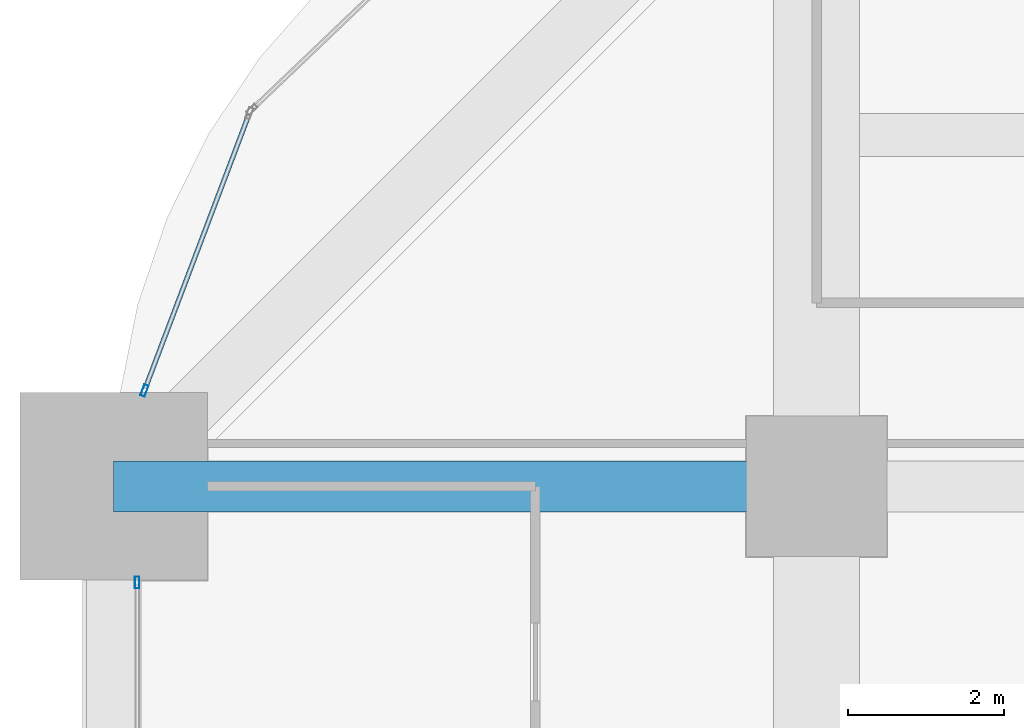
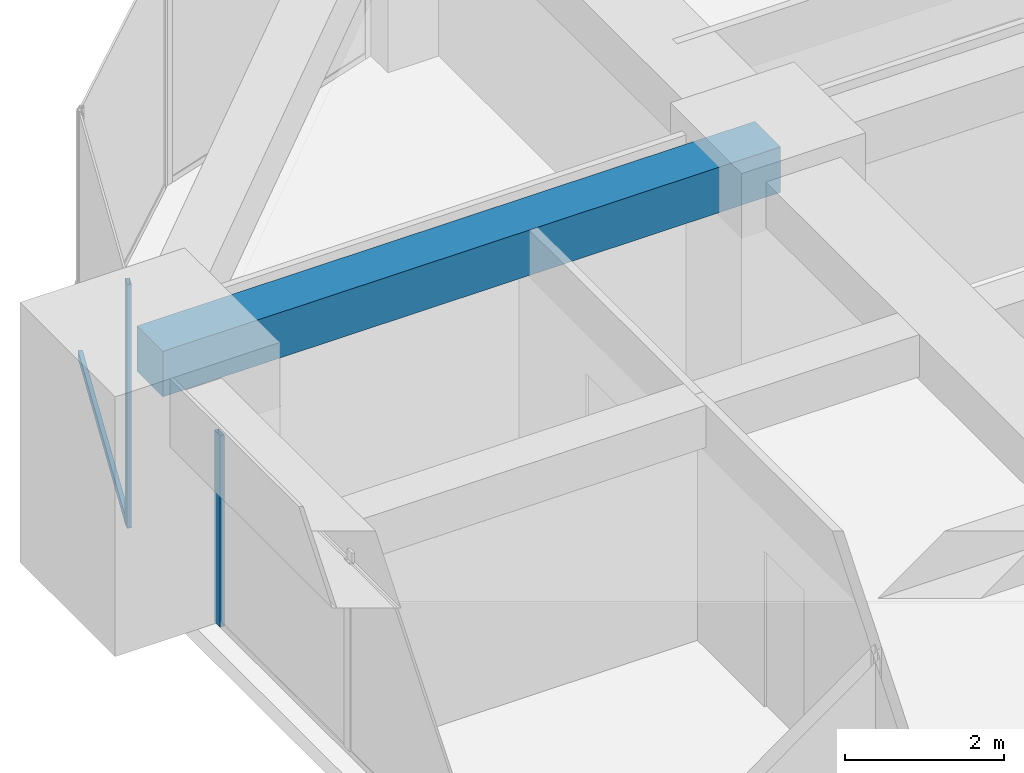
# One storey, part 24 of 41: 3 members, 1 beam, 2 elements without a shape of their own.
"""IFC4 building model written with IfcOpenShell, lengths in metres."""

from ifc_helpers import new_model, si_unit, direction, frame, origin, origin_2d, place, context, subcontext, project, spatial, rectangle, hollow_rectangle, extrude, material, material_profile, profile_set, type_object, element, aggregate, save


model = new_model("IFC4")

# Units and contexts
model_context = context("Model", 3, precision=1e-05, world=origin(), true_north=direction((0.0, 1.0)))
body_context = subcontext(model_context, "Body", "Model", "MODEL_VIEW")
ifc_project = project(units=[si_unit("LENGTHUNIT", "METRE"), si_unit("AREAUNIT", "SQUARE_METRE"), si_unit("VOLUMEUNIT", "CUBIC_METRE"), si_unit("PLANEANGLEUNIT", "RADIAN"), si_unit("MASSUNIT", "GRAM", prefix="KILO")], contexts=[model_context])

# Site, building, storey
site_placement = place(None, origin())
site = spatial("IfcSite", under=ifc_project, at=site_placement, CompositionType="ELEMENT")
building_placement = place(site_placement, origin())
building = spatial("IfcBuilding", under=site, at=building_placement, Name="Zorevar Civic Tower", CompositionType="ELEMENT")
storey_placement = place(building_placement, frame((0.0, 0.0, 137.0)))
storey = spatial("IfcBuildingStorey", under=building, at=storey_placement, Name="L33", CompositionType="ELEMENT", Elevation=137.0)

# Beam
ifc_material_1 = material(Name="Concrete C50/60", Category="concrete")
ifc_material_profile_1 = material_profile(ifc_material_1, rectangle(XDim=0.64990234375, YDim=0.699951171875, at=origin_2d()), Name="RC 650x700")
ifc_profile_set_1 = profile_set([ifc_material_profile_1], Name="Concrete C50/60")
beam_type = type_object("IfcBeamType", Name="Beam RC 650x700", PredefinedType="BEAM", material=ifc_profile_set_1)
beam_placement = place(storey_placement, frame((0.0, 36.0, 3.39990234375), z_axis=(1.0, 0.0, 0.0), x_axis=(0.0, 1.0, 0.0)))
element("IfcBeam", 1, at=beam_placement, inside=storey, type_object=beam_type, Name="Girder L34", PredefinedType="BEAM", context=body_context, shape_type="SweptSolid", body=[
    extrude(rectangle(XDim=0.64990234375, YDim=0.699951171875, at=origin_2d()), origin(), (0.0, 0.0, 1.0), 9.0),
])

# Curtain wall, member
ifc_material_2 = material(Name="Dark grey solar-control glass in black aluminium frame", Category="aluminium")
curtain_wall_type = type_object("IfcCurtainWallType", Name="Curtain wall CW3 mid zone", PredefinedType="NOTDEFINED", material=ifc_material_2)
curtain_wall_1_placement = place(storey_placement, origin())
curtain_wall_1 = element("IfcCurtainWall", 2, at=curtain_wall_1_placement, inside=storey, type_object=curtain_wall_type, Name="CW3 L33", PredefinedType="NOTDEFINED")
ifc_material_3 = material(Name="Aluminium, black anodised", Category="aluminium")
ifc_material_profile_2 = material_profile(ifc_material_3, hollow_rectangle(XDim=0.06005859375, YDim=0.14990234375, WallThickness=0.00390625, at=origin_2d()), Name="AL 150x60x4")
ifc_profile_set_2 = profile_set([ifc_material_profile_2], Name="Aluminium, black anodised")
member_type_1 = type_object("IfcMemberType", Name="CW3 mullion AL 150x60x4", PredefinedType="MULLION", material=ifc_profile_set_2)
member_1_placement = place(storey_placement, frame((0.300048828125, 34.77001953125, 0.0), z_axis=(0.0, 0.0, 1.0), x_axis=(-1.0, 0.0, 0.0)))
member_1 = element("IfcMember", 3, at=member_1_placement, type_object=member_type_1, Name="CW3 mullion 3", PredefinedType="MULLION", context=body_context, shape_type="SweptSolid", body=[
    extrude(hollow_rectangle(XDim=0.06005859375, YDim=0.14990234375, WallThickness=0.00390625, at=origin_2d()), origin(), (0.0, 0.0, 1.0), 2.949951171875),
])
aggregate(curtain_wall_1, [member_1])

# Curtain wall, members
curtain_wall_2_placement = place(storey_placement, origin())
curtain_wall_2 = element("IfcCurtainWall", 4, at=curtain_wall_2_placement, inside=storey, type_object=curtain_wall_type, Name="CW3 L33", PredefinedType="NOTDEFINED")
member_2_placement = place(storey_placement, frame((0.393798828125, 37.22802734375, 0.0), z_axis=(0.0, 0.0, 1.0), x_axis=(0.935276561184, -0.353917722218, 0.0)))
member_2 = element("IfcMember", 5, at=member_2_placement, type_object=member_type_1, Name="CW3 mullion 2", PredefinedType="MULLION", context=body_context, shape_type="SweptSolid", body=[
    extrude(hollow_rectangle(XDim=0.06005859375, YDim=0.14990234375, WallThickness=0.00390625, at=origin_2d()), origin(), (0.0, 0.0, 1.0), 3.75),
])
ifc_material_4 = material(Name="Aluminium, black anodised", Category="aluminium")
ifc_material_profile_3 = material_profile(ifc_material_4, hollow_rectangle(XDim=0.06005859375, YDim=0.1201171875, WallThickness=0.0029296875, at=origin_2d()), Name="AL 120x60x3")
ifc_profile_set_3 = profile_set([ifc_material_profile_3], Name="Aluminium, black anodised")
member_type_2 = type_object("IfcMemberType", Name="CW3 transom AL 120x60x3", PredefinedType="USERDEFINED", material=ifc_profile_set_3)
member_3_placement = place(storey_placement, frame((1.726318359375, 40.7490234375, 0.030029296875), z_axis=(-0.353923007857, -0.93527456103, 0.0), x_axis=(0.93527456103, -0.353923007857, 0.0)))
member_3 = element("IfcMember", 6, at=member_3_placement, type_object=member_type_2, Name="CW3 sill transom", ObjectType="TRANSOM", PredefinedType="USERDEFINED", context=body_context, shape_type="SweptSolid", body=[
    extrude(hollow_rectangle(XDim=0.06005859375, YDim=0.1201171875, WallThickness=0.0029296875, at=origin_2d()), origin(), (0.0, 0.0, 1.0), 3.734619140625),
])
aggregate(curtain_wall_2, [member_2, member_3])

save(model, "model.ifc")
